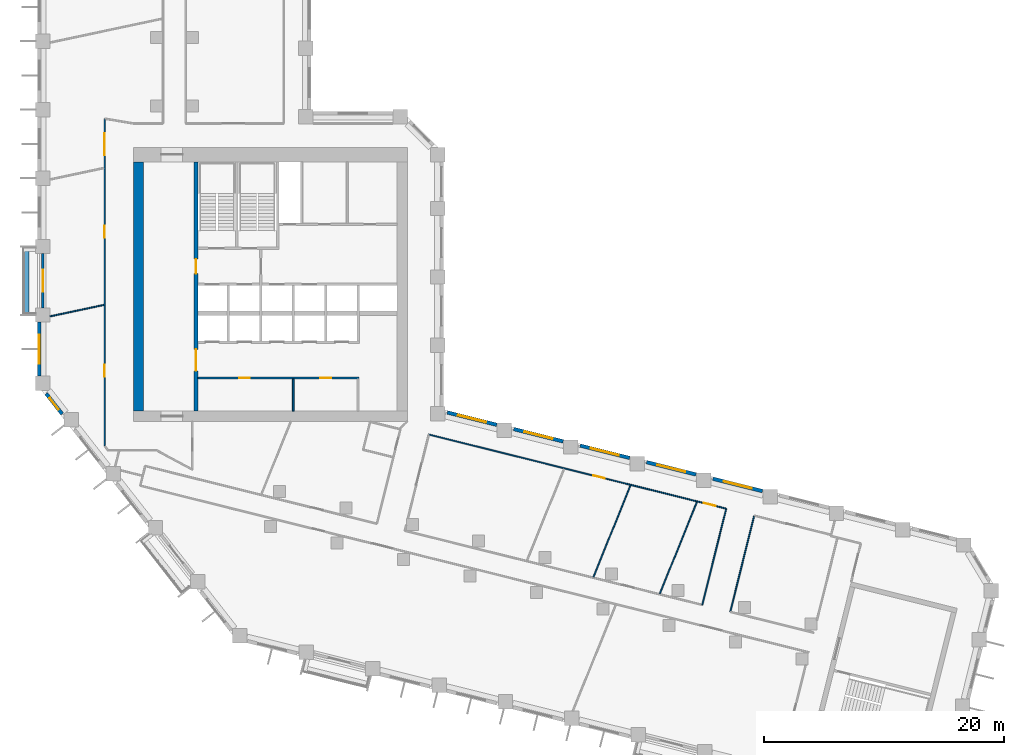
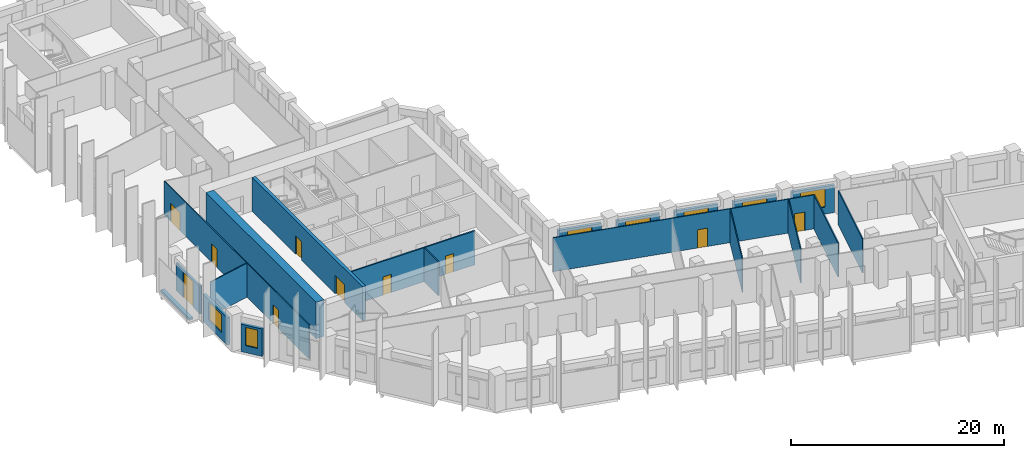
# One storey, part 4 of 10: 20 walls, 10 doors, 7 windows, 17 openings.
"""IFC4 building model written with IfcOpenShell, lengths in metres."""

from ifc_helpers import new_model, si_unit, direction, frame, frame_2d, origin, place, context, subcontext, project, spatial, rectangle, extrude, material, layer, layer_set, type_object, element, fill, save


model = new_model("IFC4")

# Units and contexts
model_context = context("Model", 3, precision=1e-05, world=origin(), true_north=direction((0.0, 1.0)))
body_context = subcontext(model_context, "Body", "Model", "MODEL_VIEW")
ifc_project = project(units=[si_unit("LENGTHUNIT", "METRE"), si_unit("AREAUNIT", "SQUARE_METRE"), si_unit("VOLUMEUNIT", "CUBIC_METRE"), si_unit("PLANEANGLEUNIT", "RADIAN"), si_unit("MASSUNIT", "GRAM", prefix="KILO")], contexts=[model_context])

# Site, building, storey
site_placement = place(None, origin())
site = spatial("IfcSite", under=ifc_project, at=site_placement, CompositionType="ELEMENT")
building_placement = place(site_placement, origin())
building = spatial("IfcBuilding", under=site, at=building_placement, Name="Meshkara Civic Tower", CompositionType="ELEMENT")
storey_placement = place(building_placement, frame((0.0, 0.0, 211.800048828125)))
storey = spatial("IfcBuildingStorey", under=building, at=storey_placement, Name="L48", CompositionType="ELEMENT", Elevation=211.800048828125)

# Wall, openings, doors
ifc_material_1 = material(Name="Blockwork", Category="masonry")
ifc_layer_1 = layer(ifc_material_1, 0.14990234375)
ifc_layer_set_1 = layer_set([ifc_layer_1], Name="Core partition 150")
wall_type_1 = type_object("IfcWallType", Name="Core partition 150", PredefinedType="PARTITIONING", material=ifc_layer_set_1)
wall_1_placement = place(storey_placement, frame((13.3701171875, 17.699951171875, 0.0), z_axis=(0.0, 0.0, 1.0), x_axis=(1.0, 0.0, 0.0)))
wall_1 = element("IfcWall", 1, at=wall_1_placement, inside=storey, type_object=wall_type_1, Name="L48-C005", PredefinedType="PARTITIONING", context=body_context, shape_type="SweptSolid", body=[
    extrude(rectangle(XDim=13.40478515625, YDim=0.14990234375, at=frame_2d((6.702392578125, 0.0))), origin(), (0.0, 0.0, 1.0), 3.89990234375),
])
opening_1_placement = place(wall_1_placement, frame((3.429931640625, 0.0, 0.0)))
opening_1 = element("IfcOpeningElement", 2, at=opening_1_placement, cuts=wall_1, Name="Opening L48-K010", PredefinedType="OPENING", context=body_context, shape_type="SweptSolid", body=[
    extrude(rectangle(XDim=0.89990234375, YDim=2.10009765625, at=frame_2d((0.449951171875, 1.050048828125))), frame((0.0, 0.0849609375, 0.0), z_axis=(0.0, -1.0, 0.0), x_axis=(1.0, 0.0, 0.0)), (0.0, 0.0, 1.0), 0.169921875),
])
opening_2_placement = place(wall_1_placement, frame((10.179931640625, 0.0, 0.0)))
opening_2 = element("IfcOpeningElement", 3, at=opening_2_placement, cuts=wall_1, Name="Opening L48-K011", PredefinedType="OPENING", context=body_context, shape_type="SweptSolid", body=[
    extrude(rectangle(XDim=0.89990234375, YDim=2.10009765625, at=frame_2d((0.449951171875, 1.050048828125))), frame((0.0, 0.0849609375, 0.0), z_axis=(0.0, -1.0, 0.0), x_axis=(1.0, 0.0, 0.0)), (0.0, 0.0, 1.0), 0.169921875),
])
ifc_material_2 = material(Name="Timber door leaf in steel frame", Category="steel")
door_type_1 = type_object("IfcDoorType", Name="Core room door 900", OperationType="SINGLE_SWING_LEFT", PredefinedType="DOOR", material=ifc_material_2)
door_1_placement = place(opening_1_placement, origin())
door_1 = element("IfcDoor", 4, at=door_1_placement, inside=storey, type_object=door_type_1, Name="L48-K010", OperationType="SINGLE_SWING_LEFT", OverallHeight=2.10009765625, OverallWidth=0.89990234375, PredefinedType="DOOR", context=body_context, shape_type="SweptSolid", body=[
    extrude(rectangle(XDim=0.89990234375, YDim=2.10009765625, at=frame_2d((0.449951171875, 1.050048828125))), frame((0.0, 0.02490234375, 0.0), z_axis=(0.0, -1.0, 0.0), x_axis=(1.0, 0.0, 0.0)), (0.0, 0.0, 1.0), 0.050048828125),
])
fill(opening_1, door_1)
door_2_placement = place(opening_2_placement, origin())
door_2 = element("IfcDoor", 5, at=door_2_placement, inside=storey, type_object=door_type_1, Name="L48-K011", OperationType="SINGLE_SWING_LEFT", OverallHeight=2.10009765625, OverallWidth=0.89990234375, PredefinedType="DOOR", context=body_context, shape_type="SweptSolid", body=[
    extrude(rectangle(XDim=0.89990234375, YDim=2.10009765625, at=frame_2d((0.449951171875, 1.050048828125))), frame((0.0, 0.02490234375, 0.0), z_axis=(0.0, -1.0, 0.0), x_axis=(1.0, 0.0, 0.0)), (0.0, 0.0, 1.0), 0.050048828125),
])
fill(opening_2, door_2)

# Walls
wall_2_placement = place(storey_placement, frame((21.300048828125, 14.949951171875, 0.0), z_axis=(0.0, 0.0, 1.0), x_axis=(0.0, 1.0, 0.0)))
element("IfcWall", 6, at=wall_2_placement, inside=storey, type_object=wall_type_1, Name="L48-C016", PredefinedType="PARTITIONING", context=body_context, shape_type="SweptSolid", body=[
    extrude(rectangle(XDim=2.675048828125, YDim=0.14990234375, at=frame_2d((1.33740234375, 0.0))), origin(), (0.0, 0.0, 1.0), 3.89990234375),
])
ifc_material_3 = material(Name="Concrete C70", Category="concrete")
ifc_layer_2 = layer(ifc_material_3, 0.85009765625)
ifc_layer_set_2 = layer_set([ifc_layer_2], Name="Core ring wall 850 C70")
wall_type_2 = type_object("IfcWallType", Name="Core ring wall 850 C70", PredefinedType="SHEAR", material=ifc_layer_set_2)
wall_3_placement = place(storey_placement, frame((8.425048828125, 14.949951171875, -0.300048828125), z_axis=(0.0, 0.0, 1.0), x_axis=(0.0, 1.0, 0.0)))
element("IfcWall", 7, at=wall_3_placement, inside=storey, type_object=wall_type_2, Name="L48-C003", PredefinedType="SHEAR", context=body_context, shape_type="SweptSolid", body=[
    extrude(rectangle(XDim=20.75, YDim=0.85009765625, at=frame_2d((10.375, 0.0))), origin(), (0.0, 0.0, 1.0), 4.199951171875),
])

# Wall, openings, doors
ifc_material_4 = material(Name="Concrete C70", Category="concrete")
ifc_layer_3 = layer(ifc_material_4, 0.340087890625)
ifc_layer_set_3 = layer_set([ifc_layer_3], Name="Core shear wall 340 C70")
wall_type_3 = type_object("IfcWallType", Name="Core shear wall 340 C70", PredefinedType="SHEAR", material=ifc_layer_set_3)
wall_4_placement = place(storey_placement, frame((13.199951171875, 14.949951171875, 0.0), z_axis=(0.0, 0.0, 1.0), x_axis=(0.0, 1.0, 0.0)))
wall_4 = element("IfcWall", 8, at=wall_4_placement, inside=storey, type_object=wall_type_3, Name="L48-C011", PredefinedType="SHEAR", context=body_context, shape_type="SweptSolid", body=[
    extrude(rectangle(XDim=20.75, YDim=0.340087890625, at=frame_2d((10.375, 0.0))), origin(), (0.0, 0.0, 1.0), 3.89990234375),
])
opening_3_placement = place(wall_4_placement, frame((3.35009765625, 0.0, 0.0)))
opening_3 = element("IfcOpeningElement", 9, at=opening_3_placement, cuts=wall_4, Name="Opening L48-K017", PredefinedType="OPENING", context=body_context, shape_type="SweptSolid", body=[
    extrude(rectangle(XDim=1.800048828125, YDim=2.10009765625, at=frame_2d((0.89990234375, 1.050048828125))), frame((0.0, 0.179931640625, 0.0), z_axis=(0.0, -1.0, 0.0), x_axis=(1.0, 0.0, 0.0)), (0.0, 0.0, 1.0), 0.360107421875),
])
opening_4_placement = place(wall_4_placement, frame((11.449951171875, 0.0, 0.0)))
opening_4 = element("IfcOpeningElement", 10, at=opening_4_placement, cuts=wall_4, Name="Opening L48-K018", PredefinedType="OPENING", context=body_context, shape_type="SweptSolid", body=[
    extrude(rectangle(XDim=1.199951171875, YDim=2.10009765625, at=frame_2d((0.60009765625, 1.050048828125))), frame((0.0, 0.179931640625, 0.0), z_axis=(0.0, -1.0, 0.0), x_axis=(1.0, 0.0, 0.0)), (0.0, 0.0, 1.0), 0.360107421875),
])
ifc_material_5 = material(Name="Fire-rated door leaf in steel frame", Category="steel")
door_type_2 = type_object("IfcDoorType", Name="Core double door 1800 EI 60", OperationType="DOUBLE_DOOR_SINGLE_SWING", PredefinedType="DOOR", material=ifc_material_5)
door_3_placement = place(opening_3_placement, origin())
door_3 = element("IfcDoor", 11, at=door_3_placement, inside=storey, type_object=door_type_2, Name="L48-K017", OperationType="DOUBLE_DOOR_SINGLE_SWING", OverallHeight=2.10009765625, OverallWidth=1.800048828125, PredefinedType="DOOR", context=body_context, shape_type="SweptSolid", body=[
    extrude(rectangle(XDim=1.800048828125, YDim=2.10009765625, at=frame_2d((0.89990234375, 1.050048828125))), frame((0.0, 0.02490234375, 0.0), z_axis=(0.0, -1.0, 0.0), x_axis=(1.0, 0.0, 0.0)), (0.0, 0.0, 1.0), 0.050048828125),
])
fill(opening_3, door_3)
ifc_material_6 = material(Name="Fire-rated door leaf in steel frame", Category="steel")
door_type_3 = type_object("IfcDoorType", Name="Fire-fighting lobby door 1200 EI 120", OperationType="SINGLE_SWING_LEFT", PredefinedType="DOOR", material=ifc_material_6)
door_4_placement = place(opening_4_placement, origin())
door_4 = element("IfcDoor", 12, at=door_4_placement, inside=storey, type_object=door_type_3, Name="L48-K018", OperationType="SINGLE_SWING_LEFT", OverallHeight=2.10009765625, OverallWidth=1.199951171875, PredefinedType="DOOR", context=body_context, shape_type="SweptSolid", body=[
    extrude(rectangle(XDim=1.199951171875, YDim=2.10009765625, at=frame_2d((0.60009765625, 1.050048828125))), frame((0.0, 0.02490234375, 0.0), z_axis=(0.0, -1.0, 0.0), x_axis=(1.0, 0.0, 0.0)), (0.0, 0.0, 1.0), 0.050048828125),
])
fill(opening_4, door_4)

ifc_material_7 = material(Name="Corridor wall 100")
ifc_layer_4 = layer(ifc_material_7, 0.10009765625)
ifc_layer_set_4 = layer_set([ifc_layer_4], Name="Corridor wall 100")
wall_type_4 = type_object("IfcWallType", Name="Corridor wall 100", PredefinedType="PARTITIONING", material=ifc_layer_set_4)
wall_5_placement = place(storey_placement, frame((5.60009765625, 12.04296875, 0.0), z_axis=(0.0, 0.0, 1.0), x_axis=(0.0, 1.0, 0.0)))
wall_5 = element("IfcWall", 13, at=wall_5_placement, inside=storey, type_object=wall_type_4, Name="L48-W003", PredefinedType="PARTITIONING", context=body_context, shape_type="SweptSolid", body=[
    extrude(rectangle(XDim=27.257080078125, YDim=0.10009765625, at=frame_2d((13.62841796875, 0.0))), origin(), (0.0, 0.0, 1.0), 3.89990234375),
])
opening_5_placement = place(wall_5_placement, frame((5.780029296875, 0.0, 0.0)))
opening_5 = element("IfcOpeningElement", 14, at=opening_5_placement, cuts=wall_5, Name="Opening L48-D015", PredefinedType="OPENING", context=body_context, shape_type="SweptSolid", body=[
    extrude(rectangle(XDim=1.0, YDim=2.10009765625, at=frame_2d((0.5, 1.050048828125))), frame((0.0, 0.06005859375, 0.0), z_axis=(0.0, -1.0, 0.0), x_axis=(1.0, 0.0, 0.0)), (0.0, 0.0, 1.0), 0.1201171875),
])
opening_6_placement = place(wall_5_placement, frame((17.3291015625, 0.0, 0.0)))
opening_6 = element("IfcOpeningElement", 15, at=opening_6_placement, cuts=wall_5, Name="Opening L48-D016", PredefinedType="OPENING", context=body_context, shape_type="SweptSolid", body=[
    extrude(rectangle(XDim=1.0, YDim=2.10009765625, at=frame_2d((0.5, 1.050048828125))), frame((0.0, 0.06005859375, 0.0), z_axis=(0.0, -1.0, 0.0), x_axis=(1.0, 0.0, 0.0)), (0.0, 0.0, 1.0), 0.1201171875),
])
opening_7_placement = place(wall_5_placement, frame((24.22900390625, 0.0, 0.0)))
opening_7 = element("IfcOpeningElement", 16, at=opening_7_placement, cuts=wall_5, Name="Opening L48-D017", PredefinedType="OPENING", context=body_context, shape_type="SweptSolid", body=[
    extrude(rectangle(XDim=1.800048828125, YDim=2.10009765625, at=frame_2d((0.89990234375, 1.050048828125))), frame((0.0, 0.06005859375, 0.0), z_axis=(0.0, -1.0, 0.0), x_axis=(1.0, 0.0, 0.0)), (0.0, 0.0, 1.0), 0.1201171875),
])
ifc_material_8 = material(Name="Door 1000 x 2100")
door_type_4 = type_object("IfcDoorType", Name="Door 1000 x 2100", OperationType="SINGLE_SWING_LEFT", PredefinedType="DOOR", material=ifc_material_8)
door_5_placement = place(opening_5_placement, origin())
door_5 = element("IfcDoor", 17, at=door_5_placement, inside=storey, type_object=door_type_4, Name="L48-D015", OperationType="SINGLE_SWING_RIGHT", OverallHeight=2.10009765625, OverallWidth=1.0, PredefinedType="DOOR", context=body_context, shape_type="SweptSolid", body=[
    extrude(rectangle(XDim=1.0, YDim=2.10009765625, at=frame_2d((0.5, 1.050048828125))), frame((0.0, 0.02490234375, 0.0), z_axis=(0.0, -1.0, 0.0), x_axis=(1.0, 0.0, 0.0)), (0.0, 0.0, 1.0), 0.050048828125),
])
fill(opening_5, door_5)
door_6_placement = place(opening_6_placement, origin())
door_6 = element("IfcDoor", 18, at=door_6_placement, inside=storey, type_object=door_type_4, Name="L48-D016", OperationType="SINGLE_SWING_RIGHT", OverallHeight=2.10009765625, OverallWidth=1.0, PredefinedType="DOOR", context=body_context, shape_type="SweptSolid", body=[
    extrude(rectangle(XDim=1.0, YDim=2.10009765625, at=frame_2d((0.5, 1.050048828125))), frame((0.0, 0.02490234375, 0.0), z_axis=(0.0, -1.0, 0.0), x_axis=(1.0, 0.0, 0.0)), (0.0, 0.0, 1.0), 0.050048828125),
])
fill(opening_6, door_6)
ifc_material_9 = material(Name="Door pair 1800 x 2100")
door_type_5 = type_object("IfcDoorType", Name="Door pair 1800 x 2100", OperationType="SINGLE_SWING_LEFT", PredefinedType="DOOR", material=ifc_material_9)
door_7_placement = place(opening_7_placement, origin())
door_7 = element("IfcDoor", 19, at=door_7_placement, inside=storey, type_object=door_type_5, Name="L48-D017", OperationType="DOUBLE_DOOR_SINGLE_SWING", OverallHeight=2.10009765625, OverallWidth=1.800048828125, PredefinedType="DOOR", context=body_context, shape_type="SweptSolid", body=[
    extrude(rectangle(XDim=1.800048828125, YDim=2.10009765625, at=frame_2d((0.89990234375, 1.050048828125))), frame((0.0, 0.02490234375, 0.0), z_axis=(0.0, -1.0, 0.0), x_axis=(1.0, 0.0, 0.0)), (0.0, 0.0, 1.0), 0.050048828125),
])
fill(opening_7, door_7)

wall_6_placement = place(storey_placement, frame((32.587890625, 13.001953125, 0.0), z_axis=(0.0, 0.0, 1.0), x_axis=(0.970296463981, -0.241918936808, 0.0)))
wall_6 = element("IfcWall", 20, at=wall_6_placement, inside=storey, type_object=wall_type_4, Name="L48-W032", PredefinedType="PARTITIONING", context=body_context, shape_type="SweptSolid", body=[
    extrude(rectangle(XDim=25.525390625, YDim=0.10009765625, at=frame_2d((12.7626953125, 0.0))), origin(), (0.0, 0.0, 1.0), 3.89990234375),
])
opening_8_placement = place(wall_6_placement, frame((14.097900390625, 0.0, 0.0)))
opening_8 = element("IfcOpeningElement", 21, at=opening_8_placement, cuts=wall_6, Name="Opening L48-D011", PredefinedType="OPENING", context=body_context, shape_type="SweptSolid", body=[
    extrude(rectangle(XDim=1.0, YDim=2.10009765625, at=frame_2d((0.5, 1.050048828125))), frame((0.0, 0.06005859375, 0.0), z_axis=(0.0, -1.0, 0.0), x_axis=(1.0, 0.0, 0.0)), (0.0, 0.0, 1.0), 0.1201171875),
])
opening_9_placement = place(wall_6_placement, frame((23.597900390625, 0.0, 0.0)))
opening_9 = element("IfcOpeningElement", 22, at=opening_9_placement, cuts=wall_6, Name="Opening L48-D012", PredefinedType="OPENING", context=body_context, shape_type="SweptSolid", body=[
    extrude(rectangle(XDim=1.0, YDim=2.10009765625, at=frame_2d((0.5, 1.050048828125))), frame((0.0, 0.06005859375, 0.0), z_axis=(0.0, -1.0, 0.0), x_axis=(1.0, 0.0, 0.0)), (0.0, 0.0, 1.0), 0.1201171875),
])
door_8_placement = place(opening_8_placement, origin())
door_8 = element("IfcDoor", 23, at=door_8_placement, inside=storey, type_object=door_type_4, Name="L48-D011", OperationType="SINGLE_SWING_LEFT", OverallHeight=2.10009765625, OverallWidth=1.0, PredefinedType="DOOR", context=body_context, shape_type="SweptSolid", body=[
    extrude(rectangle(XDim=1.0, YDim=2.10009765625, at=frame_2d((0.5, 1.050048828125))), frame((0.0, 0.02490234375, 0.0), z_axis=(0.0, -1.0, 0.0), x_axis=(1.0, 0.0, 0.0)), (0.0, 0.0, 1.0), 0.050048828125),
])
fill(opening_8, door_8)
door_9_placement = place(opening_9_placement, origin())
door_9 = element("IfcDoor", 24, at=door_9_placement, inside=storey, type_object=door_type_4, Name="L48-D012", OperationType="SINGLE_SWING_RIGHT", OverallHeight=2.10009765625, OverallWidth=1.0, PredefinedType="DOOR", context=body_context, shape_type="SweptSolid", body=[
    extrude(rectangle(XDim=1.0, YDim=2.10009765625, at=frame_2d((0.5, 1.050048828125))), frame((0.0, 0.02490234375, 0.0), z_axis=(0.0, -1.0, 0.0), x_axis=(1.0, 0.0, 0.0)), (0.0, 0.0, 1.0), 0.050048828125),
])
fill(opening_9, door_9)

# Walls
wall_7_placement = place(storey_placement, frame((57.35498046875, 6.826904296875, 0.0), z_axis=(0.0, 0.0, 1.0), x_axis=(-0.241888494143, -0.970304053584, 0.0)))
element("IfcWall", 25, at=wall_7_placement, inside=storey, type_object=wall_type_4, Name="L48-W033", PredefinedType="PARTITIONING", context=body_context, shape_type="SweptSolid", body=[
    extrude(rectangle(XDim=8.256103515625, YDim=0.10009765625, at=frame_2d((4.1279296875, 0.0))), origin(), (0.0, 0.0, 1.0), 3.89990234375),
])
wall_8_placement = place(storey_placement, frame((57.68701171875, -1.763916015625, 0.0), z_axis=(0.0, 0.0, 1.0), x_axis=(0.24191625886, 0.970297131656, 0.0)))
element("IfcWall", 26, at=wall_8_placement, inside=storey, type_object=wall_type_4, Name="L48-W034", PredefinedType="PARTITIONING", context=body_context, shape_type="SweptSolid", body=[
    extrude(rectangle(XDim=8.255126953125, YDim=0.10009765625, at=frame_2d((4.12744140625, 0.0))), origin(), (0.0, 0.0, 1.0), 3.89990234375),
])

# Wall, opening, window
ifc_material_10 = material(Name="Insulated infill panel with bronze anodised aluminium cladding", Category="aluminium")
ifc_layer_5 = layer(ifc_material_10, 0.300048828125)
ifc_layer_set_5 = layer_set([ifc_layer_5], Name="EXTERNAL INFILL WALL 300")
wall_type_5 = type_object("IfcWallType", Name="EXTERNAL INFILL WALL 300", PredefinedType="SOLIDWALL", material=ifc_layer_set_5)
wall_9_placement = place(storey_placement, frame((60.3701171875, 8.291015625, 0.0), z_axis=(0.0, 0.0, 1.0), x_axis=(-0.970291164166, 0.241940192487, 0.0)))
wall_9 = element("IfcWall", 27, at=wall_9_placement, inside=storey, type_object=wall_type_5, Name="External wall", PredefinedType="SOLIDWALL", context=body_context, shape_type="SweptSolid", body=[
    extrude(rectangle(XDim=4.245361328125, YDim=0.300048828125, at=frame_2d((2.12255859375, 0.0))), origin(), (0.0, 0.0, 1.0), 3.14990234375),
])
opening_10_placement = place(wall_9_placement, frame((0.922119140625, 0.0, 0.800048828125)))
opening_10 = element("IfcOpeningElement", 28, at=opening_10_placement, cuts=wall_9, Name="Opening W7", PredefinedType="OPENING", context=body_context, shape_type="SweptSolid", body=[
    extrude(rectangle(XDim=2.39990234375, YDim=2.10009765625, at=frame_2d((1.199951171875, 1.050048828125))), frame((0.0, 0.159912109375, 0.0), z_axis=(0.0, -1.0, 0.0), x_axis=(1.0, 0.0, 0.0)), (0.0, 0.0, 1.0), 0.320068359375),
])
ifc_material_11 = material(Name="Tinted double glazing", Category="glass")
window_type_1 = type_object("IfcWindowType", Name="WINDOW 2400x2100", PartitioningType="DOUBLE_PANEL_VERTICAL", PredefinedType="WINDOW", material=ifc_material_11)
window_1_placement = place(opening_10_placement, origin())
window_1 = element("IfcWindow", 29, at=window_1_placement, inside=storey, type_object=window_type_1, Name="Window", OverallHeight=2.10009765625, OverallWidth=2.39990234375, PartitioningType="DOUBLE_PANEL_VERTICAL", PredefinedType="WINDOW", context=body_context, shape_type="SweptSolid", body=[
    extrude(rectangle(XDim=2.39990234375, YDim=2.10009765625, at=frame_2d((1.199951171875, 1.050048828125))), frame((0.0, 0.030029296875, 0.0), z_axis=(0.0, -1.0, 0.0), x_axis=(1.0, 0.0, 0.0)), (0.0, 0.0, 1.0), 0.06005859375),
])
fill(opening_10, window_1)

wall_10_placement = place(storey_placement, frame((54.840087890625, 9.669921875, 0.0), z_axis=(0.0, 0.0, 1.0), x_axis=(-0.97030462482, 0.241886202691, 0.0)))
wall_10 = element("IfcWall", 30, at=wall_10_placement, inside=storey, type_object=wall_type_5, Name="External wall", PredefinedType="SOLIDWALL", context=body_context, shape_type="SweptSolid", body=[
    extrude(rectangle(XDim=4.24609375, YDim=0.300048828125, at=frame_2d((2.123046875, 0.0))), origin(), (0.0, 0.0, 1.0), 3.14990234375),
])
opening_11_placement = place(wall_10_placement, frame((0.923095703125, 0.0, 0.800048828125)))
opening_11 = element("IfcOpeningElement", 31, at=opening_11_placement, cuts=wall_10, Name="Opening W7", PredefinedType="OPENING", context=body_context, shape_type="SweptSolid", body=[
    extrude(rectangle(XDim=2.39990234375, YDim=2.10009765625, at=frame_2d((1.199951171875, 1.050048828125))), frame((0.0, 0.159912109375, 0.0), z_axis=(0.0, -1.0, 0.0), x_axis=(1.0, 0.0, 0.0)), (0.0, 0.0, 1.0), 0.320068359375),
])
window_2_placement = place(opening_11_placement, origin())
window_2 = element("IfcWindow", 32, at=window_2_placement, inside=storey, type_object=window_type_1, Name="Window", OverallHeight=2.10009765625, OverallWidth=2.39990234375, PartitioningType="DOUBLE_PANEL_VERTICAL", PredefinedType="WINDOW", context=body_context, shape_type="SweptSolid", body=[
    extrude(rectangle(XDim=2.39990234375, YDim=2.10009765625, at=frame_2d((1.199951171875, 1.050048828125))), frame((0.0, 0.030029296875, 0.0), z_axis=(0.0, -1.0, 0.0), x_axis=(1.0, 0.0, 0.0)), (0.0, 0.0, 1.0), 0.06005859375),
])
fill(opening_11, window_2)

wall_11_placement = place(storey_placement, frame((49.30908203125, 11.049072265625, 0.0), z_axis=(0.0, 0.0, 1.0), x_axis=(-0.970264129329, 0.242048588793, 0.0)))
wall_11 = element("IfcWall", 33, at=wall_11_placement, inside=storey, type_object=wall_type_5, Name="External wall", PredefinedType="SOLIDWALL", context=body_context, shape_type="SweptSolid", body=[
    extrude(rectangle(XDim=4.246337890625, YDim=0.300048828125, at=frame_2d((2.123046875, 0.0))), origin(), (0.0, 0.0, 1.0), 3.14990234375),
])
opening_12_placement = place(wall_11_placement, frame((0.923095703125, 0.0, 0.800048828125)))
opening_12 = element("IfcOpeningElement", 34, at=opening_12_placement, cuts=wall_11, Name="Opening W7", PredefinedType="OPENING", context=body_context, shape_type="SweptSolid", body=[
    extrude(rectangle(XDim=2.39990234375, YDim=2.10009765625, at=frame_2d((1.199951171875, 1.050048828125))), frame((0.0, 0.159912109375, 0.0), z_axis=(0.0, -1.0, 0.0), x_axis=(1.0, 0.0, 0.0)), (0.0, 0.0, 1.0), 0.320068359375),
])
window_3_placement = place(opening_12_placement, origin())
window_3 = element("IfcWindow", 35, at=window_3_placement, inside=storey, type_object=window_type_1, Name="Window", OverallHeight=2.10009765625, OverallWidth=2.39990234375, PartitioningType="DOUBLE_PANEL_VERTICAL", PredefinedType="WINDOW", context=body_context, shape_type="SweptSolid", body=[
    extrude(rectangle(XDim=2.39990234375, YDim=2.10009765625, at=frame_2d((1.199951171875, 1.050048828125))), frame((0.0, 0.030029296875, 0.0), z_axis=(0.0, -1.0, 0.0), x_axis=(1.0, 0.0, 0.0)), (0.0, 0.0, 1.0), 0.06005859375),
])
fill(opening_12, window_3)

wall_12_placement = place(storey_placement, frame((43.778076171875, 12.427978515625, 0.0), z_axis=(0.0, 0.0, 1.0), x_axis=(-0.970291164166, 0.241940192487, 0.0)))
wall_12 = element("IfcWall", 36, at=wall_12_placement, inside=storey, type_object=wall_type_5, Name="External wall", PredefinedType="SOLIDWALL", context=body_context, shape_type="SweptSolid", body=[
    extrude(rectangle(XDim=4.245361328125, YDim=0.300048828125, at=frame_2d((2.12255859375, 0.0))), origin(), (0.0, 0.0, 1.0), 3.14990234375),
])
opening_13_placement = place(wall_12_placement, frame((0.922119140625, 0.0, 0.800048828125)))
opening_13 = element("IfcOpeningElement", 37, at=opening_13_placement, cuts=wall_12, Name="Opening W7", PredefinedType="OPENING", context=body_context, shape_type="SweptSolid", body=[
    extrude(rectangle(XDim=2.39990234375, YDim=2.10009765625, at=frame_2d((1.199951171875, 1.050048828125))), frame((0.0, 0.159912109375, 0.0), z_axis=(0.0, -1.0, 0.0), x_axis=(1.0, 0.0, 0.0)), (0.0, 0.0, 1.0), 0.320068359375),
])
window_4_placement = place(opening_13_placement, origin())
window_4 = element("IfcWindow", 38, at=window_4_placement, inside=storey, type_object=window_type_1, Name="Window", OverallHeight=2.10009765625, OverallWidth=2.39990234375, PartitioningType="DOUBLE_PANEL_VERTICAL", PredefinedType="WINDOW", context=body_context, shape_type="SweptSolid", body=[
    extrude(rectangle(XDim=2.39990234375, YDim=2.10009765625, at=frame_2d((1.199951171875, 1.050048828125))), frame((0.0, 0.030029296875, 0.0), z_axis=(0.0, -1.0, 0.0), x_axis=(1.0, 0.0, 0.0)), (0.0, 0.0, 1.0), 0.06005859375),
])
fill(opening_13, window_4)

wall_13_placement = place(storey_placement, frame((38.248046875, 13.806884765625, 0.0), z_axis=(0.0, 0.0, 1.0), x_axis=(-0.970250625545, 0.242102712975, 0.0)))
wall_13 = element("IfcWall", 39, at=wall_13_placement, inside=storey, type_object=wall_type_5, Name="External wall", PredefinedType="SOLIDWALL", context=body_context, shape_type="SweptSolid", body=[
    extrude(rectangle(XDim=4.246337890625, YDim=0.300048828125, at=frame_2d((2.123046875, 0.0))), origin(), (0.0, 0.0, 1.0), 3.14990234375),
])
opening_14_placement = place(wall_13_placement, frame((0.923095703125, 0.0, 0.800048828125)))
opening_14 = element("IfcOpeningElement", 40, at=opening_14_placement, cuts=wall_13, Name="Opening W7", PredefinedType="OPENING", context=body_context, shape_type="SweptSolid", body=[
    extrude(rectangle(XDim=2.39990234375, YDim=2.10009765625, at=frame_2d((1.199951171875, 1.050048828125))), frame((0.0, 0.159912109375, 0.0), z_axis=(0.0, -1.0, 0.0), x_axis=(1.0, 0.0, 0.0)), (0.0, 0.0, 1.0), 0.320068359375),
])
window_5_placement = place(opening_14_placement, origin())
window_5 = element("IfcWindow", 41, at=window_5_placement, inside=storey, type_object=window_type_1, Name="Window", OverallHeight=2.10009765625, OverallWidth=2.39990234375, PartitioningType="DOUBLE_PANEL_VERTICAL", PredefinedType="WINDOW", context=body_context, shape_type="SweptSolid", body=[
    extrude(rectangle(XDim=2.39990234375, YDim=2.10009765625, at=frame_2d((1.199951171875, 1.050048828125))), frame((0.0, 0.030029296875, 0.0), z_axis=(0.0, -1.0, 0.0), x_axis=(1.0, 0.0, 0.0)), (0.0, 0.0, 1.0), 0.06005859375),
])
fill(opening_14, window_5)

wall_14_placement = place(storey_placement, frame((0.14990234375, 22.35498046875, 0.0), z_axis=(0.0, 0.0, 1.0), x_axis=(0.0, -1.0, 0.0)))
wall_14 = element("IfcWall", 42, at=wall_14_placement, inside=storey, type_object=wall_type_5, Name="External wall", PredefinedType="SOLIDWALL", context=body_context, shape_type="SweptSolid", body=[
    extrude(rectangle(XDim=4.5, YDim=0.300048828125, at=frame_2d((2.25, 0.0))), origin(), (0.0, 0.0, 1.0), 3.14990234375),
])
opening_15_placement = place(wall_14_placement, frame((1.050048828125, 0.0, 0.800048828125)))
opening_15 = element("IfcOpeningElement", 43, at=opening_15_placement, cuts=wall_14, Name="Opening W7", PredefinedType="OPENING", context=body_context, shape_type="SweptSolid", body=[
    extrude(rectangle(XDim=2.39990234375, YDim=2.10009765625, at=frame_2d((1.199951171875, 1.050048828125))), frame((0.0, 0.159912109375, 0.0), z_axis=(0.0, -1.0, 0.0), x_axis=(1.0, 0.0, 0.0)), (0.0, 0.0, 1.0), 0.320068359375),
])
window_6_placement = place(opening_15_placement, origin())
window_6 = element("IfcWindow", 44, at=window_6_placement, inside=storey, type_object=window_type_1, Name="Window", OverallHeight=2.10009765625, OverallWidth=2.39990234375, PartitioningType="DOUBLE_PANEL_VERTICAL", PredefinedType="WINDOW", context=body_context, shape_type="SweptSolid", body=[
    extrude(rectangle(XDim=2.39990234375, YDim=2.10009765625, at=frame_2d((1.199951171875, 1.050048828125))), frame((0.0, 0.030029296875, 0.0), z_axis=(0.0, -1.0, 0.0), x_axis=(1.0, 0.0, 0.0)), (0.0, 0.0, 1.0), 0.06005859375),
])
fill(opening_15, window_6)

wall_15_placement = place(storey_placement, frame((0.73193359375, 16.406982421875, 0.0), z_axis=(0.0, 0.0, 1.0), x_axis=(0.615593496459, -0.788063859797, 0.0)))
wall_15 = element("IfcWall", 45, at=wall_15_placement, inside=storey, type_object=wall_type_5, Name="External wall", PredefinedType="SOLIDWALL", context=body_context, shape_type="SweptSolid", body=[
    extrude(rectangle(XDim=2.156005859375, YDim=0.300048828125, at=frame_2d((1.078125, 0.0))), origin(), (0.0, 0.0, 1.0), 3.14990234375),
])
opening_16_placement = place(wall_15_placement, frame((0.47802734375, 0.0, 0.800048828125)))
opening_16 = element("IfcOpeningElement", 46, at=opening_16_placement, cuts=wall_15, Name="Opening W3", PredefinedType="OPENING", context=body_context, shape_type="SweptSolid", body=[
    extrude(rectangle(XDim=1.199951171875, YDim=2.10009765625, at=frame_2d((0.60009765625, 1.050048828125))), frame((0.0, 0.159912109375, 0.0), z_axis=(0.0, -1.0, 0.0), x_axis=(1.0, 0.0, 0.0)), (0.0, 0.0, 1.0), 0.320068359375),
])
ifc_material_12 = material(Name="Tinted double glazing", Category="glass")
window_type_2 = type_object("IfcWindowType", Name="WINDOW 1200x2100", PartitioningType="SINGLE_PANEL", PredefinedType="WINDOW", material=ifc_material_12)
window_7_placement = place(opening_16_placement, origin())
window_7 = element("IfcWindow", 47, at=window_7_placement, inside=storey, type_object=window_type_2, Name="Window", OverallHeight=2.10009765625, OverallWidth=1.199951171875, PartitioningType="SINGLE_PANEL", PredefinedType="WINDOW", context=body_context, shape_type="SweptSolid", body=[
    extrude(rectangle(XDim=1.199951171875, YDim=2.10009765625, at=frame_2d((0.60009765625, 1.050048828125))), frame((0.0, 0.030029296875, 0.0), z_axis=(0.0, -1.0, 0.0), x_axis=(1.0, 0.0, 0.0)), (0.0, 0.0, 1.0), 0.06005859375),
])
fill(opening_16, window_7)

# Wall, opening, door
ifc_material_13 = material(Name="Insulated infill panel with bronze anodised aluminium cladding", Category="aluminium")
ifc_layer_6 = layer(ifc_material_13, 0.199951171875)
ifc_layer_set_6 = layer_set([ifc_layer_6], Name="LOGGIA BACK WALL 200")
wall_type_6 = type_object("IfcWallType", Name="LOGGIA BACK WALL 200", PredefinedType="SOLIDWALL", material=ifc_layer_set_6)
wall_16_placement = place(storey_placement, frame((0.449951171875, 28.053955078125, 0.0), z_axis=(0.0, 0.0, 1.0), x_axis=(0.0, -1.0, 0.0)))
wall_16 = element("IfcWall", 48, at=wall_16_placement, inside=storey, type_object=wall_type_6, Name="Loggia wall", PredefinedType="SOLIDWALL", context=body_context, shape_type="SweptSolid", body=[
    extrude(rectangle(XDim=4.498046875, YDim=0.199951171875, at=frame_2d((2.2490234375, 0.0))), origin(), (0.0, 0.0, 1.0), 3.14990234375),
])
opening_17_placement = place(wall_16_placement, frame((1.34912109375, 0.0, 0.0)))
opening_17 = element("IfcOpeningElement", 49, at=opening_17_placement, cuts=wall_16, Name="Opening L48-L002", PredefinedType="OPENING", context=body_context, shape_type="SweptSolid", body=[
    extrude(rectangle(XDim=1.800048828125, YDim=2.89990234375, at=frame_2d((0.89990234375, 1.449951171875))), frame((0.0, 0.10986328125, 0.0), z_axis=(0.0, -1.0, 0.0), x_axis=(1.0, 0.0, 0.0)), (0.0, 0.0, 1.0), 0.219970703125),
])
ifc_material_14 = material(Name="Tinted double glazing", Category="glass")
door_type_6 = type_object("IfcDoorType", Name="LOGGIA DOOR 1800x2900", OperationType="DOUBLE_DOOR_SINGLE_SWING", PredefinedType="DOOR", material=ifc_material_14)
door_10_placement = place(opening_17_placement, origin())
door_10 = element("IfcDoor", 50, at=door_10_placement, inside=storey, type_object=door_type_6, Name="L48-L002", OperationType="DOUBLE_DOOR_SINGLE_SWING", OverallHeight=2.89990234375, OverallWidth=1.800048828125, PredefinedType="DOOR", context=body_context, shape_type="SweptSolid", body=[
    extrude(rectangle(XDim=1.800048828125, YDim=2.89990234375, at=frame_2d((0.89990234375, 1.449951171875))), frame((0.0, 0.02490234375, 0.0), z_axis=(0.0, -1.0, 0.0), x_axis=(1.0, 0.0, 0.0)), (0.0, 0.0, 1.0), 0.050048828125),
])
fill(opening_17, door_10)

# Walls
ifc_material_15 = material(Name="Concrete C40", Category="concrete")
ifc_layer_7 = layer(ifc_material_15, 0.39990234375)
ifc_layer_set_7 = layer_set([ifc_layer_7], Name="PLANTER TRAY")
wall_type_7 = type_object("IfcWallType", Name="PLANTER TRAY", PredefinedType="SOLIDWALL", material=ifc_layer_set_7)
wall_17_placement = place(storey_placement, frame((-0.8798828125, 28.485107421875, 0.0), z_axis=(0.0, 0.0, 1.0), x_axis=(0.0, -1.0, 0.0)))
element("IfcWall", 51, at=wall_17_placement, inside=storey, type_object=wall_type_7, Name="Planter", PredefinedType="SOLIDWALL", context=body_context, shape_type="SweptSolid", body=[
    extrude(rectangle(XDim=5.360107421875, YDim=0.39990234375, at=frame_2d((2.68017578125, 0.0))), origin(), (0.0, 0.0, 1.0), 0.300048828125),
])
ifc_material_16 = material(Name="Partition 100")
ifc_layer_8 = layer(ifc_material_16, 0.10009765625)
ifc_layer_set_8 = layer_set([ifc_layer_8], Name="Partition 100")
wall_type_8 = type_object("IfcWallType", Name="Partition 100", PredefinedType="PARTITIONING", material=ifc_layer_set_8)
wall_18_placement = place(storey_placement, frame((5.5400390625, 23.7919921875, 0.0), z_axis=(0.0, 0.0, 1.0), x_axis=(-0.978116523161, -0.20805784561, 0.0)))
element("IfcWall", 52, at=wall_18_placement, inside=storey, type_object=wall_type_8, Name="L48-W046", PredefinedType="PARTITIONING", context=body_context, shape_type="SweptSolid", body=[
    extrude(rectangle(XDim=4.59033203125, YDim=0.10009765625, at=frame_2d((2.295166015625, 0.0))), origin(), (0.0, 0.0, 1.0), 3.89990234375),
])
for number, where, z_axis, x_axis, name in (
    (53, (46.298095703125, 1.134033203125, 0.0), (0.0, 0.0, 1.0), (0.37449643731, 0.927228352911, 0.0), "L48-W058"),
    (54, (51.8291015625, -0.2451171875, 0.0), (0.0, 0.0, 1.0), (0.37449643731, 0.927228352911, 0.0), "L48-W059"),
):
    element("IfcWall", number, at=place(storey_placement, frame(where, z_axis=z_axis, x_axis=x_axis)), inside=storey, type_object=wall_type_8, Name=name, PredefinedType="PARTITIONING", context=body_context, shape_type="SweptSolid", body=[
        extrude(rectangle(XDim=8.221435546875, YDim=0.10009765625, at=frame_2d((4.11083984375, 0.0))), origin(), (0.0, 0.0, 1.0), 3.89990234375),
    ])

save(model, "model.ifc")
